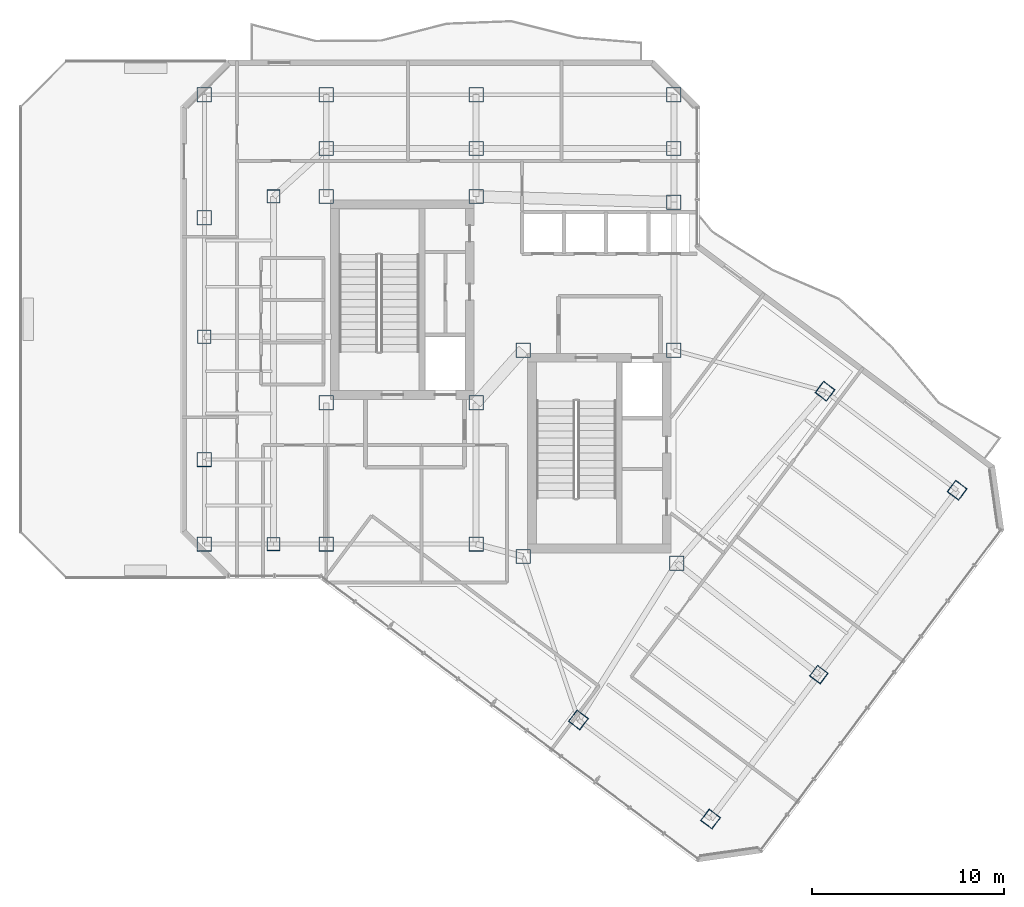
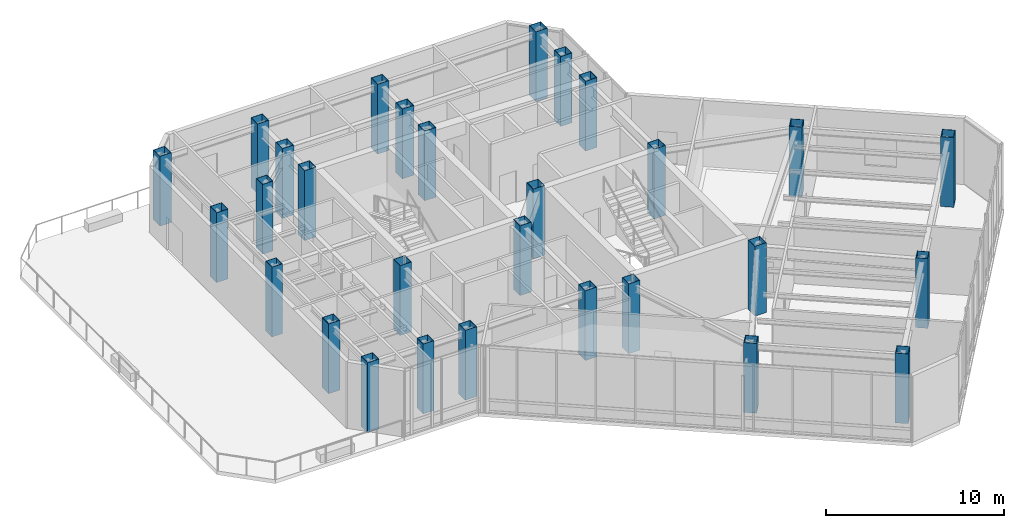
# One storey, part 1 of 21: 29 columns.
"""IFC4 building model written with IfcOpenShell, lengths in metres."""

from ifc_helpers import new_model, si_unit, direction, frame, origin, origin_2d, place, context, subcontext, project, spatial, hollow_rectangle, extrude, material, material_profile, profile_set, type_object, element, save


model = new_model("IFC4")

# Units and contexts
model_context = context("Model", 3, precision=1e-05, world=origin(), true_north=direction((0.0, 1.0)))
body_context = subcontext(model_context, "Body", "Model", "MODEL_VIEW")
ifc_project = project(units=[si_unit("LENGTHUNIT", "METRE"), si_unit("AREAUNIT", "SQUARE_METRE"), si_unit("VOLUMEUNIT", "CUBIC_METRE"), si_unit("PLANEANGLEUNIT", "RADIAN"), si_unit("MASSUNIT", "GRAM", prefix="KILO")], contexts=[model_context])

# Site, building, storey
site_placement = place(None, origin())
site = spatial("IfcSite", under=ifc_project, at=site_placement, CompositionType="ELEMENT")
building_placement = place(site_placement, origin())
building = spatial("IfcBuilding", under=site, at=building_placement, Name="Hatsunagi Terrace Concourse", CompositionType="ELEMENT")
storey_placement = place(building_placement, frame((0.0, 0.0, 186.75)))
storey = spatial("IfcBuildingStorey", under=building, at=storey_placement, Name="L49", CompositionType="ELEMENT", Elevation=186.75)

# Columns
ifc_material_1 = material(Name="Steel BCP325T", Category="steel")
ifc_material_profile_1 = material_profile(ifc_material_1, hollow_rectangle(XDim=0.699951171875, YDim=0.699951171875, WallThickness=0.028076171875, at=origin_2d()), Name="BCP-700x700x28")
ifc_profile_set_1 = profile_set([ifc_material_profile_1], Name="Steel BCP325T")
column_type_1 = type_object("IfcColumnType", Name="TowerBoxColumn_700x700x28", PredefinedType="COLUMN", material=ifc_profile_set_1)
for number, where, z_axis, x_axis, name in (
    (1, (22.800048828125, 25.199951171875, 0.0), (0.0, 0.0, 1.0), (1.0, 0.0, 0.0), "Column C-08 L49-CW1"),
    (2, (22.800048828125, 43.300048828125, 0.0), (0.0, 0.0, 1.0), (1.0, 0.0, 0.0), "Column C-08 L49-CW2"),
    (3, (19.199951171875, 36.0, 0.0), (0.0, 0.0, 1.0), (1.0, 0.0, 0.0), "Column C-08 L49-WT2"),
    (4, (51.199951171875, 18.39990234375, 0.0), (0.0, 0.0, 1.0), (0.799999996291, -0.600000004945, 0.0), "Column C-08 L49-SEM2"),
):
    element("IfcColumn", number, at=place(storey_placement, frame(where, z_axis=z_axis, x_axis=x_axis)), inside=storey, type_object=column_type_1, Name=name, PredefinedType="COLUMN", context=body_context, shape_type="SweptSolid", body=[
        extrude(hollow_rectangle(XDim=0.699951171875, YDim=0.699951171875, WallThickness=0.028076171875, at=origin_2d()), origin(), (0.0, 0.0, 1.0), 4.800048828125),
    ])
ifc_material_2 = material(Name="Steel BCP325T", Category="steel")
ifc_material_profile_2 = material_profile(ifc_material_2, hollow_rectangle(XDim=0.75, YDim=0.75, WallThickness=0.028076171875, at=origin_2d()), Name="BCP-750x750x28")
ifc_profile_set_2 = profile_set([ifc_material_profile_2], Name="Steel BCP325T")
column_type_2 = type_object("IfcColumnType", Name="TowerBoxColumn_750x750x28", PredefinedType="COLUMN", material=ifc_profile_set_2)
for number, where, z_axis, x_axis, name in (
    (5, (25.550048828125, 32.550048828125, 0.0), (0.0, 0.0, 1.0), (1.0, 0.0, 0.0), "Column C-07 L49-CASW"),
    (6, (33.35009765625, 32.550048828125, 0.0), (0.0, 0.0, 1.0), (1.0, 0.0, 0.0), "Column C-07 L49-CASE"),
    (7, (25.550048828125, 43.300048828125, 0.0), (0.0, 0.0, 1.0), (1.0, 0.0, 0.0), "Column C-07 L49-CANW"),
    (8, (33.35009765625, 43.300048828125, 0.0), (0.0, 0.0, 1.0), (1.0, 0.0, 0.0), "Column C-07 L49-CANE"),
    (9, (35.800048828125, 24.550048828125, 0.0), (0.0, 0.0, 1.0), (1.0, 0.0, 0.0), "Column C-07 L49-CBSW"),
    (10, (43.800048828125, 24.199951171875, 0.0), (0.0, 0.0, 1.0), (1.0, 0.0, 0.0), "Column C-07 L49-CBSE"),
    (11, (35.800048828125, 35.300048828125, 0.0), (0.0, 0.0, 1.0), (1.0, 0.0, 0.0), "Column C-07 L49-CBNW"),
    (12, (43.64990234375, 35.300048828125, 0.0), (0.0, 0.0, 1.0), (1.0, 0.0, 0.0), "Column C-07 L49-CBNE"),
    (13, (25.550048828125, 25.199951171875, 0.0), (0.0, 0.0, 1.0), (1.0, 0.0, 0.0), "Column C-07 L49-K1"),
    (14, (33.35009765625, 25.199951171875, 0.0), (0.0, 0.0, 1.0), (1.0, 0.0, 0.0), "Column C-07 L49-K2"),
    (15, (43.64990234375, 43.0, 0.0), (0.0, 0.0, 1.0), (1.0, 0.0, 0.0), "Column C-07 L49-K3"),
    (16, (25.550048828125, 45.800048828125, 0.0), (0.0, 0.0, 1.0), (1.0, 0.0, 0.0), "Column C-07 L49-CN1"),
    (17, (33.35009765625, 45.800048828125, 0.0), (0.0, 0.0, 1.0), (1.0, 0.0, 0.0), "Column C-07 L49-CN2"),
    (18, (43.64990234375, 45.800048828125, 0.0), (0.0, 0.0, 1.0), (1.0, 0.0, 0.0), "Column C-07 L49-CN3"),
    (19, (19.199951171875, 48.60009765625, 0.0), (0.0, 0.0, 1.0), (1.0, 0.0, 0.0), "Column C-07 L49-WN3"),
    (20, (25.550048828125, 48.60009765625, 0.0), (0.0, 0.0, 1.0), (1.0, 0.0, 0.0), "Column C-07 L49-WN4"),
    (21, (33.35009765625, 48.60009765625, 0.0), (0.0, 0.0, 1.0), (1.0, 0.0, 0.0), "Column C-07 L49-WN5"),
    (22, (43.64990234375, 48.60009765625, 0.0), (0.0, 0.0, 1.0), (1.0, 0.0, 0.0), "Column C-07 L49-WN6"),
    (23, (19.199951171875, 25.199951171875, 0.0), (0.0, 0.0, 1.0), (1.0, 0.0, 0.0), "Column C-07 L49-WS3"),
    (24, (19.199951171875, 29.60009765625, 0.0), (0.0, 0.0, 1.0), (1.0, 0.0, 0.0), "Column C-07 L49-WR1"),
    (25, (19.199951171875, 42.199951171875, 0.0), (0.0, 0.0, 1.0), (1.0, 0.0, 0.0), "Column C-07 L49-WR2"),
    (26, (38.679931640625, 16.0400390625, 0.0), (0.0, 0.0, 1.0), (0.799999996291, -0.600000004945, 0.0), "Column C-07 L49-SES1"),
    (27, (51.52001953125, 33.159912109375, 0.0), (0.0, 0.0, 1.0), (0.799999996291, -0.600000004945, 0.0), "Column C-07 L49-SEN1"),
    (28, (45.56005859375, 10.8798828125, 0.0), (0.0, 0.0, 1.0), (0.799999996291, -0.600000004945, 0.0), "Column C-07 L49-SES2"),
    (29, (58.39990234375, 28.0, 0.0), (0.0, 0.0, 1.0), (0.799999996291, -0.600000004945, 0.0), "Column C-07 L49-SEN2"),
):
    element("IfcColumn", number, at=place(storey_placement, frame(where, z_axis=z_axis, x_axis=x_axis)), inside=storey, type_object=column_type_2, Name=name, PredefinedType="COLUMN", context=body_context, shape_type="SweptSolid", body=[
        extrude(hollow_rectangle(XDim=0.75, YDim=0.75, WallThickness=0.028076171875, at=origin_2d()), origin(), (0.0, 0.0, 1.0), 4.800048828125),
    ])

save(model, "model.ifc")
